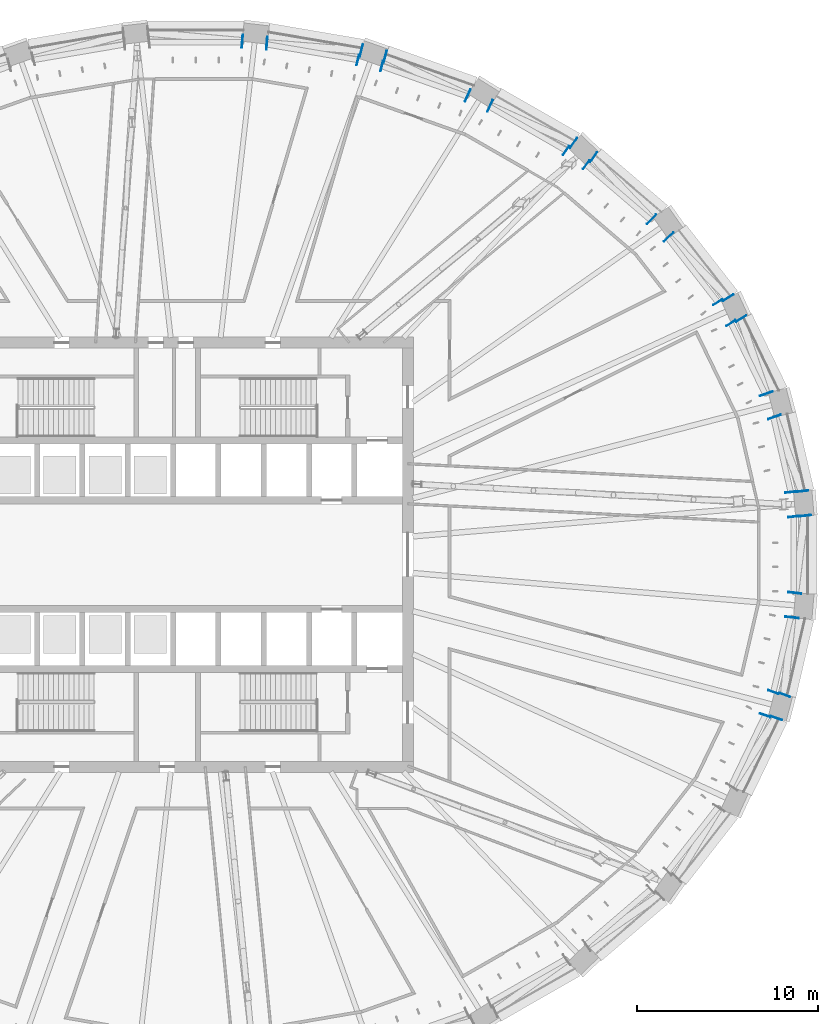
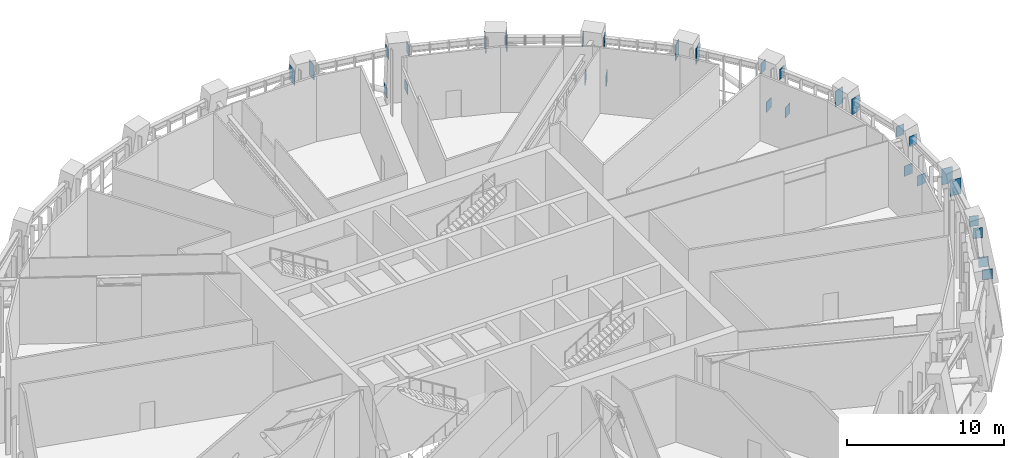
# One storey, part 15 of 21: 30 discrete accessories.
"""IFC4 building model written with IfcOpenShell, lengths in metres."""

from ifc_helpers import new_model, si_unit, direction, frame, origin, origin_2d, place, context, subcontext, project, spatial, rectangle, extrude, material, layer, layer_set, type_object, element, save


model = new_model("IFC4")

# Units and contexts
model_context = context("Model", 3, precision=1e-05, world=origin(), true_north=direction((0.0, 1.0)))
body_context = subcontext(model_context, "Body", "Model", "MODEL_VIEW")
ifc_project = project(units=[si_unit("LENGTHUNIT", "METRE"), si_unit("AREAUNIT", "SQUARE_METRE"), si_unit("VOLUMEUNIT", "CUBIC_METRE"), si_unit("PLANEANGLEUNIT", "RADIAN"), si_unit("MASSUNIT", "GRAM", prefix="KILO")], contexts=[model_context])

# Site, building, storey
site_placement = place(None, origin())
site = spatial("IfcSite", under=ifc_project, at=site_placement, CompositionType="ELEMENT")
building_placement = place(site_placement, origin())
building = spatial("IfcBuilding", under=site, at=building_placement, Name="Halqa Exchange Tower", CompositionType="ELEMENT")
storey_placement = place(building_placement, frame((0.0, 0.0, 173.5)))
storey = spatial("IfcBuildingStorey", under=building, at=storey_placement, Name="L39", CompositionType="ELEMENT", Elevation=173.5)

# Discrete accessories
ifc_material = material(Name="Steel S355", Category="steel")
ifc_layer = layer(ifc_material, 0.0400390625)
ifc_layer_set = layer_set([ifc_layer], Name="Steel S355")
discrete_accessory_type = type_object("IfcDiscreteAccessoryType", Name="Belt truss anchor plate 40", PredefinedType="ANCHORPLATE", material=ifc_layer_set)
for number, where, z_axis, x_axis, name in (
    (1, (32.822998046875, 3.4306640625, 4.25), (-0.115780500934, 0.993274823804, 0.0), (-0.993274823804, -0.115780500934, 0.0), "Belt truss anchor plate"),
    (2, (32.97314453125, 2.119384765625, 4.25), (0.109762219212, -0.993957873973, 0.0), (0.993957873973, 0.109762219212, 0.0), "Belt truss anchor plate"),
):
    element("IfcDiscreteAccessory", number, at=place(storey_placement, frame(where, z_axis=z_axis, x_axis=x_axis)), inside=storey, type_object=discrete_accessory_type, Name=name, PredefinedType="ANCHORPLATE", context=body_context, shape_type="SweptSolid", body=[
        extrude(rectangle(XDim=0.60009765625, YDim=0.800048828125, at=origin_2d()), origin(), (0.0, 0.0, 1.0), 0.0400390625),
    ])
discrete_accessory_1_placement = place(storey_placement, frame((33.45849609375, 3.482666015625, 0.950927734375), z_axis=(-0.109762219212, 0.993957873973, 0.0), x_axis=(-0.993957873973, -0.109762219212, 0.0)))
element("IfcDiscreteAccessory", 3, at=discrete_accessory_1_placement, inside=storey, type_object=discrete_accessory_type, Name="Belt truss anchor plate", PredefinedType="ANCHORPLATE", context=body_context, shape_type="SweptSolid", body=[
    extrude(rectangle(XDim=0.652099609375, YDim=0.784912109375, at=origin_2d()), origin(), (0.0, 0.0, 1.0), 0.0400390625),
])
discrete_accessory_2_placement = place(storey_placement, frame((33.6083984375, 2.171142578125, 0.956787109375), z_axis=(0.110431526075, -0.993883734674, 0.0), x_axis=(0.993883734674, 0.110431526075, 0.0)))
element("IfcDiscreteAccessory", 4, at=discrete_accessory_2_placement, inside=storey, type_object=discrete_accessory_type, Name="Belt truss anchor plate", PredefinedType="ANCHORPLATE", context=body_context, shape_type="SweptSolid", body=[
    extrude(rectangle(XDim=0.64990234375, YDim=0.787109375, at=origin_2d()), origin(), (0.0, 0.0, 1.0), 0.039794921875),
])
discrete_accessory_3_placement = place(storey_placement, frame((31.4794921875, 8.86376953125, 4.0341796875), z_axis=(-0.328993186606, 0.944332294887, 0.0), x_axis=(-0.944332294887, -0.328993186606, 0.0)))
element("IfcDiscreteAccessory", 5, at=discrete_accessory_3_placement, inside=storey, type_object=discrete_accessory_type, Name="Belt truss anchor plate", PredefinedType="ANCHORPLATE", context=body_context, shape_type="SweptSolid", body=[
    extrude(rectangle(XDim=0.73291015625, YDim=1.23193359375, at=origin_2d()), origin(), (0.0, 0.0, 1.0), 0.0400390625),
])
discrete_accessory_4_placement = place(storey_placement, frame((31.919189453125, 7.619140625, 4.03466796875), z_axis=(0.336336396998, -0.941741911595, 0.0), x_axis=(0.941741911595, 0.336336396998, 0.0)))
element("IfcDiscreteAccessory", 6, at=discrete_accessory_4_placement, inside=storey, type_object=discrete_accessory_type, Name="Belt truss anchor plate", PredefinedType="ANCHORPLATE", context=body_context, shape_type="SweptSolid", body=[
    extrude(rectangle(XDim=0.73388671875, YDim=1.23095703125, at=origin_2d()), origin(), (0.0, 0.0, 1.0), 0.0400390625),
])
for number, where, z_axis, x_axis, name in (
    (7, (28.8125, 13.91064453125, 4.25), (-0.526143980405, 0.850395503212, 0.0), (-0.850395503212, -0.526143980405, 0.0), "Belt truss anchor plate"),
    (8, (29.509521484375, 12.78955078125, 4.25), (0.526143980405, -0.850395503212, 0.0), (0.850395503212, 0.526143980405, 0.0), "Belt truss anchor plate"),
):
    element("IfcDiscreteAccessory", number, at=place(storey_placement, frame(where, z_axis=z_axis, x_axis=x_axis)), inside=storey, type_object=discrete_accessory_type, Name=name, PredefinedType="ANCHORPLATE", context=body_context, shape_type="SweptSolid", body=[
        extrude(rectangle(XDim=0.60009765625, YDim=0.800048828125, at=origin_2d()), origin(), (0.0, 0.0, 1.0), 0.039794921875),
    ])
discrete_accessory_5_placement = place(storey_placement, frame((29.37841796875, 14.162353515625, 0.92529296875), z_axis=(-0.526143980405, 0.850395503212, 0.0), x_axis=(-0.850395503212, -0.526143980405, 0.0)))
element("IfcDiscreteAccessory", 9, at=discrete_accessory_5_placement, inside=storey, type_object=discrete_accessory_type, Name="Belt truss anchor plate", PredefinedType="ANCHORPLATE", context=body_context, shape_type="SweptSolid", body=[
    extrude(rectangle(XDim=0.666015625, YDim=0.778076171875, at=origin_2d()), origin(), (0.0, 0.0, 1.0), 0.039794921875),
])
discrete_accessory_6_placement = place(storey_placement, frame((30.0732421875, 13.0400390625, 0.950927734375), z_axis=(0.530546985787, -0.847655529016, 0.0), x_axis=(0.847655529016, 0.530546985787, 0.0)))
element("IfcDiscreteAccessory", 10, at=discrete_accessory_6_placement, inside=storey, type_object=discrete_accessory_type, Name="Belt truss anchor plate", PredefinedType="ANCHORPLATE", context=body_context, shape_type="SweptSolid", body=[
    extrude(rectangle(XDim=0.657958984375, YDim=0.784912109375, at=origin_2d()), origin(), (0.0, 0.0, 1.0), 0.0400390625),
])
discrete_accessory_7_placement = place(storey_placement, frame((25.153564453125, 18.490966796875, 4.04736328125), z_axis=(-0.694812020929, 0.719191390085, 0.0), x_axis=(-0.719191390085, -0.694812020929, 0.0)))
element("IfcDiscreteAccessory", 11, at=discrete_accessory_7_placement, inside=storey, type_object=discrete_accessory_type, Name="Belt truss anchor plate", PredefinedType="ANCHORPLATE", context=body_context, shape_type="SweptSolid", body=[
    extrude(rectangle(XDim=0.72412109375, YDim=1.205078125, at=origin_2d()), origin(), (0.0, 0.0, 1.0), 0.0400390625),
])
discrete_accessory_8_placement = place(storey_placement, frame((26.065673828125, 17.53662109375, 4.0478515625), z_axis=(0.691639439628, -0.722242954656, 0.0), x_axis=(0.722242954656, 0.691639439628, 0.0)))
element("IfcDiscreteAccessory", 12, at=discrete_accessory_8_placement, inside=storey, type_object=discrete_accessory_type, Name="Belt truss anchor plate", PredefinedType="ANCHORPLATE", context=body_context, shape_type="SweptSolid", body=[
    extrude(rectangle(XDim=0.72607421875, YDim=1.2041015625, at=origin_2d()), origin(), (0.0, 0.0, 1.0), 0.039794921875),
])
discrete_accessory_9_placement = place(storey_placement, frame((20.444091796875, 22.282470703125, 4.25), z_axis=(-0.816627394595, 0.577165226255, 0.0), x_axis=(-0.577165226255, -0.816627394595, 0.0)))
element("IfcDiscreteAccessory", 13, at=discrete_accessory_9_placement, inside=storey, type_object=discrete_accessory_type, Name="Belt truss anchor plate", PredefinedType="ANCHORPLATE", context=body_context, shape_type="SweptSolid", body=[
    extrude(rectangle(XDim=0.60009765625, YDim=0.800048828125, at=origin_2d()), origin(), (0.0, 0.0, 1.0), 0.039794921875),
])
discrete_accessory_10_placement = place(storey_placement, frame((21.522705078125, 21.521484375, 4.25), z_axis=(0.81865747399, -0.57428210862, 0.0), x_axis=(0.57428210862, 0.81865747399, 0.0)))
element("IfcDiscreteAccessory", 14, at=discrete_accessory_10_placement, inside=storey, type_object=discrete_accessory_type, Name="Belt truss anchor plate", PredefinedType="ANCHORPLATE", context=body_context, shape_type="SweptSolid", body=[
    extrude(rectangle(XDim=0.60009765625, YDim=0.800048828125, at=origin_2d()), origin(), (0.0, 0.0, 1.0), 0.0400390625),
])
discrete_accessory_11_placement = place(storey_placement, frame((20.853271484375, 22.697998046875, 0.90087890625), z_axis=(-0.81865747399, 0.57428210862, 0.0), x_axis=(-0.57428210862, -0.81865747399, 0.0)))
element("IfcDiscreteAccessory", 15, at=discrete_accessory_11_placement, inside=storey, type_object=discrete_accessory_type, Name="Belt truss anchor plate", PredefinedType="ANCHORPLATE", context=body_context, shape_type="SweptSolid", body=[
    extrude(rectangle(XDim=0.68310546875, YDim=0.77099609375, at=origin_2d()), origin(), (0.0, 0.0, 1.0), 0.0400390625),
])
discrete_accessory_12_placement = place(storey_placement, frame((21.930908203125, 21.935302734375, 0.9248046875), z_axis=(0.816627394595, -0.577165226255, 0.0), x_axis=(0.577165226255, 0.816627394595, 0.0)))
element("IfcDiscreteAccessory", 16, at=discrete_accessory_12_placement, inside=storey, type_object=discrete_accessory_type, Name="Belt truss anchor plate", PredefinedType="ANCHORPLATE", context=body_context, shape_type="SweptSolid", body=[
    extrude(rectangle(XDim=0.675048828125, YDim=0.778076171875, at=origin_2d()), origin(), (0.0, 0.0, 1.0), 0.039794921875),
])
discrete_accessory_13_placement = place(storey_placement, frame((15.018798828125, 25.32080078125, 4.060546875), z_axis=(-0.90742390538, 0.420216439404, 0.0), x_axis=(-0.420216439404, -0.90742390538, 0.0)))
element("IfcDiscreteAccessory", 17, at=discrete_accessory_13_placement, inside=storey, type_object=discrete_accessory_type, Name="Belt truss anchor plate", PredefinedType="ANCHORPLATE", context=body_context, shape_type="SweptSolid", body=[
    extrude(rectangle(XDim=0.717041015625, YDim=1.178955078125, at=origin_2d()), origin(), (0.0, 0.0, 1.0), 0.0400390625),
])
discrete_accessory_14_placement = place(storey_placement, frame((16.218505859375, 24.7705078125, 4.060791015625), z_axis=(0.9097381412, -0.415182507393, 0.0), x_axis=(0.415182507393, 0.9097381412, 0.0)))
element("IfcDiscreteAccessory", 18, at=discrete_accessory_14_placement, inside=storey, type_object=discrete_accessory_type, Name="Belt truss anchor plate", PredefinedType="ANCHORPLATE", context=body_context, shape_type="SweptSolid", body=[
    extrude(rectangle(XDim=0.718017578125, YDim=1.177978515625, at=origin_2d()), origin(), (0.0, 0.0, 1.0), 0.0400390625),
])
discrete_accessory_15_placement = place(storey_placement, frame((8.965087890625, 27.2880859375, 4.25), z_axis=(-0.968324838627, 0.249693826313, 0.0), x_axis=(-0.249693826313, -0.968324838627, 0.0)))
element("IfcDiscreteAccessory", 19, at=discrete_accessory_15_placement, inside=storey, type_object=discrete_accessory_type, Name="Belt truss anchor plate", PredefinedType="ANCHORPLATE", context=body_context, shape_type="SweptSolid", body=[
    extrude(rectangle(XDim=0.60009765625, YDim=0.800048828125, at=origin_2d()), origin(), (0.0, 0.0, 1.0), 0.0400390625),
])
discrete_accessory_16_placement = place(storey_placement, frame((10.242431640625, 26.954833984375, 4.25), z_axis=(0.967941754644, -0.251174759116, 0.0), x_axis=(0.251174759116, 0.967941754644, 0.0)))
element("IfcDiscreteAccessory", 20, at=discrete_accessory_16_placement, inside=storey, type_object=discrete_accessory_type, Name="Belt truss anchor plate", PredefinedType="ANCHORPLATE", context=body_context, shape_type="SweptSolid", body=[
    extrude(rectangle(XDim=0.60009765625, YDim=0.800048828125, at=origin_2d()), origin(), (0.0, 0.0, 1.0), 0.039794921875),
])
discrete_accessory_17_placement = place(storey_placement, frame((9.15283203125, 27.8046875, 0.88818359375), z_axis=(-0.967941754644, 0.251174759116, 0.0), x_axis=(-0.251174759116, -0.967941754644, 0.0)))
element("IfcDiscreteAccessory", 21, at=discrete_accessory_17_placement, inside=storey, type_object=discrete_accessory_type, Name="Belt truss anchor plate", PredefinedType="ANCHORPLATE", context=body_context, shape_type="SweptSolid", body=[
    extrude(rectangle(XDim=0.69189453125, YDim=0.76806640625, at=origin_2d()), origin(), (0.0, 0.0, 1.0), 0.039794921875),
])
discrete_accessory_18_placement = place(storey_placement, frame((10.429931640625, 27.470703125, 0.89990234375), z_axis=(0.968324838627, -0.249693826313, 0.0), x_axis=(0.249693826313, 0.968324838627, 0.0)))
element("IfcDiscreteAccessory", 22, at=discrete_accessory_18_placement, inside=storey, type_object=discrete_accessory_type, Name="Belt truss anchor plate", PredefinedType="ANCHORPLATE", context=body_context, shape_type="SweptSolid", body=[
    extrude(rectangle(XDim=0.68896484375, YDim=0.77099609375, at=origin_2d()), origin(), (0.0, 0.0, 1.0), 0.0400390625),
])
discrete_accessory_19_placement = place(storey_placement, frame((2.590087890625, 28.319580078125, 4.067138671875), z_axis=(-0.996331773833, 0.085574508182, 0.0), x_axis=(-0.085574508182, -0.996331773833, 0.0)))
element("IfcDiscreteAccessory", 23, at=discrete_accessory_19_placement, inside=storey, type_object=discrete_accessory_type, Name="Belt truss anchor plate", PredefinedType="ANCHORPLATE", context=body_context, shape_type="SweptSolid", body=[
    extrude(rectangle(XDim=0.714111328125, YDim=1.166015625, at=origin_2d()), origin(), (0.0, 0.0, 1.0), 0.0400390625),
])
discrete_accessory_20_placement = place(storey_placement, frame((3.9052734375, 28.208251953125, 4.067138671875), z_axis=(0.996872997497, -0.079020420533, 0.0), x_axis=(0.079020420533, 0.996872997497, 0.0)))
element("IfcDiscreteAccessory", 24, at=discrete_accessory_20_placement, inside=storey, type_object=discrete_accessory_type, Name="Belt truss anchor plate", PredefinedType="ANCHORPLATE", context=body_context, shape_type="SweptSolid", body=[
    extrude(rectangle(XDim=0.714111328125, YDim=1.166015625, at=origin_2d()), origin(), (0.0, 0.0, 1.0), 0.040283203125),
])
for number, where, z_axis, x_axis, name in (
    (25, (31.856201171875, -7.5966796875, 4.25), (0.330896267797, 0.943667134088, 0.0), (-0.943667134088, 0.330896267797, 0.0), "Belt truss anchor plate"),
    (26, (31.4169921875, -8.841796875, 4.25), (-0.330896267797, -0.943667134088, 0.0), (0.943667134088, -0.330896267797, 0.0), "Belt truss anchor plate"),
):
    element("IfcDiscreteAccessory", number, at=place(storey_placement, frame(where, z_axis=z_axis, x_axis=x_axis)), inside=storey, type_object=discrete_accessory_type, Name=name, PredefinedType="ANCHORPLATE", context=body_context, shape_type="SweptSolid", body=[
        extrude(rectangle(XDim=0.60009765625, YDim=0.800048828125, at=origin_2d()), origin(), (0.0, 0.0, 1.0), 0.039794921875),
    ])
discrete_accessory_21_placement = place(storey_placement, frame((32.467041015625, -7.75048828125, 0.95751953125), z_axis=(0.336336396998, 0.941741911595, 0.0), x_axis=(-0.941741911595, 0.336336396998, 0.0)))
element("IfcDiscreteAccessory", 27, at=discrete_accessory_21_placement, inside=storey, type_object=discrete_accessory_type, Name="Belt truss anchor plate", PredefinedType="ANCHORPLATE", context=body_context, shape_type="SweptSolid", body=[
    extrude(rectangle(XDim=0.652099609375, YDim=0.787109375, at=origin_2d()), origin(), (0.0, 0.0, 1.0), 0.0400390625),
])
discrete_accessory_22_placement = place(storey_placement, frame((32.029541015625, -8.99609375, 0.939697265625), z_axis=(-0.330896267797, -0.943667134088, 0.0), x_axis=(0.943667134088, -0.330896267797, 0.0)))
element("IfcDiscreteAccessory", 28, at=discrete_accessory_22_placement, inside=storey, type_object=discrete_accessory_type, Name="Belt truss anchor plate", PredefinedType="ANCHORPLATE", context=body_context, shape_type="SweptSolid", body=[
    extrude(rectangle(XDim=0.657958984375, YDim=0.781982421875, at=origin_2d()), origin(), (0.0, 0.0, 1.0), 0.039794921875),
])
discrete_accessory_23_placement = place(storey_placement, frame((33.04052734375, -2.126953125, 4.031005859375), z_axis=(0.116485527129, 0.993192389202, 0.0), x_axis=(-0.993192389202, 0.116485527129, 0.0)))
element("IfcDiscreteAccessory", 29, at=discrete_accessory_23_placement, inside=storey, type_object=discrete_accessory_type, Name="Belt truss anchor plate", PredefinedType="ANCHORPLATE", context=body_context, shape_type="SweptSolid", body=[
    extrude(rectangle(XDim=0.736083984375, YDim=1.238037109375, at=origin_2d()), origin(), (0.0, 0.0, 1.0), 0.039794921875),
])
discrete_accessory_24_placement = place(storey_placement, frame((32.89013671875, -3.4384765625, 4.031005859375), z_axis=(-0.115780500934, -0.993274823804, 0.0), x_axis=(0.993274823804, -0.115780500934, 0.0)))
element("IfcDiscreteAccessory", 30, at=discrete_accessory_24_placement, inside=storey, type_object=discrete_accessory_type, Name="Belt truss anchor plate", PredefinedType="ANCHORPLATE", context=body_context, shape_type="SweptSolid", body=[
    extrude(rectangle(XDim=0.735107421875, YDim=1.238037109375, at=origin_2d()), origin(), (0.0, 0.0, 1.0), 0.0400390625),
])

save(model, "model.ifc")
